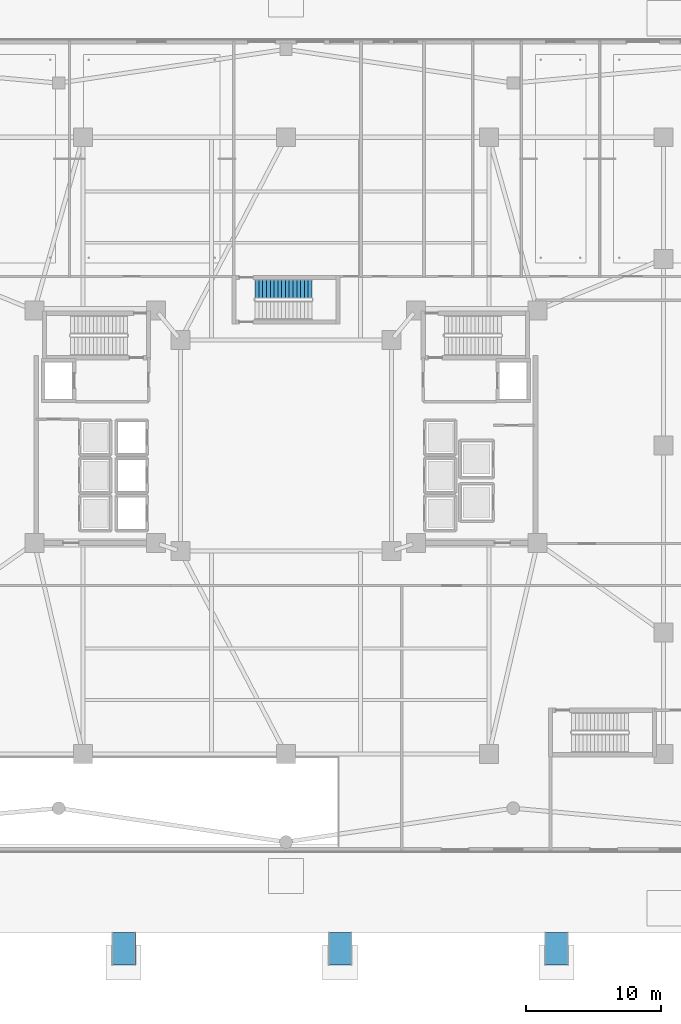
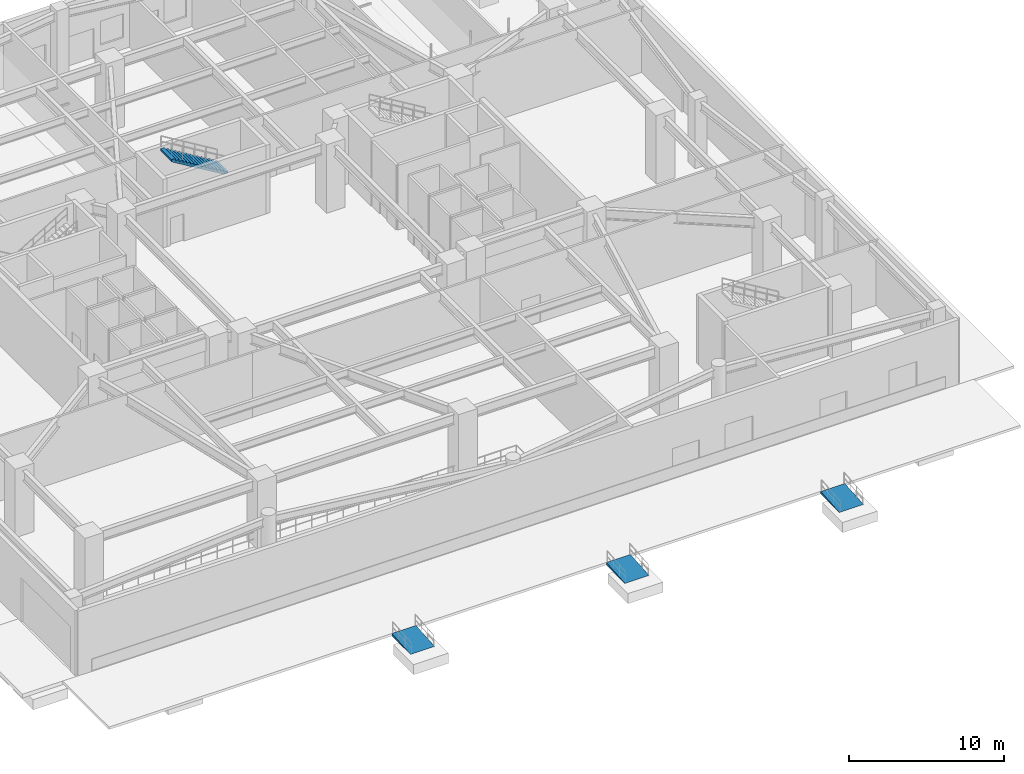
# One storey, part 7 of 18: 3 ramp flights, 1 stair flight, 4 elements without a shape of their own.
"""IFC4 building model written with IfcOpenShell, lengths in metres."""

from ifc_helpers import new_model, si_unit, direction, frame, origin, place, context, subcontext, project, spatial, polyline, outline, extrude, material, layer, layer_set, type_object, element, aggregate, save


model = new_model("IFC4")

# Units and contexts
model_context = context("Model", 3, precision=1e-05, world=origin(), true_north=direction((0.0, 1.0)))
body_context = subcontext(model_context, "Body", "Model", "MODEL_VIEW")
ifc_project = project(units=[si_unit("LENGTHUNIT", "METRE"), si_unit("AREAUNIT", "SQUARE_METRE"), si_unit("VOLUMEUNIT", "CUBIC_METRE"), si_unit("PLANEANGLEUNIT", "RADIAN"), si_unit("MASSUNIT", "GRAM", prefix="KILO")], contexts=[model_context])

# Site, building, storey
site_placement = place(None, origin())
site = spatial("IfcSite", under=ifc_project, at=site_placement, CompositionType="ELEMENT")
building_placement = place(site_placement, origin())
building = spatial("IfcBuilding", under=site, at=building_placement, Name="Tarnavaz Court Tower", CompositionType="ELEMENT")
storey_placement = place(building_placement, origin())
storey = spatial("IfcBuildingStorey", under=building, at=storey_placement, Name="L00", CompositionType="ELEMENT", Elevation=0.0)

# Stair, stair flight
ifc_material = material(Name="Concrete C40/50", Category="concrete")
stair_type = type_object("IfcStairType", Name="ST-TWR-32R", PredefinedType="HALF_TURN_STAIR", material=ifc_material)
stair_placement = place(storey_placement, origin())
stair = element("IfcStair", 1, at=stair_placement, inside=storey, type_object=stair_type, Name="L00 North Ring Pressurized Exit Stair ST-N1", PredefinedType="HALF_TURN_STAIR")
stair_flight_type = type_object("IfcStairFlightType", Name="SFL-RC-32R", PredefinedType="STRAIGHT", material=ifc_material)
stair_flight_placement = place(storey_placement, frame((1.919921875, 11.580078125, 2.699951171875), z_axis=(0.0, 0.0, 1.0), x_axis=(-1.0, 0.0, 0.0)))
stair_flight = element("IfcStairFlight", 2, at=stair_flight_placement, type_object=stair_flight_type, Name="ST-N1 flight 2", NumberOfRisers=16, NumberOfTreads=15, PredefinedType="STRAIGHT", RiserHeight=0.16875, TreadLength=0.28, context=body_context, shape_type="SweptSolid", body=[
    extrude(outline(polyline([(0.0, 0.0), (0.0, 0.168701171875), (0.280029296875, 0.168701171875), (0.280029296875, 0.33740234375), (0.56005859375, 0.33740234375), (0.56005859375, 0.50634765625), (0.840087890625, 0.50634765625), (0.840087890625, 0.675048828125), (1.1201171875, 0.675048828125), (1.1201171875, 0.84375), (1.39990234375, 0.84375), (1.39990234375, 1.012451171875), (1.679931640625, 1.012451171875), (1.679931640625, 1.18115234375), (1.9599609375, 1.18115234375), (1.9599609375, 1.35009765625), (2.239990234375, 1.35009765625), (2.239990234375, 1.518798828125), (2.52001953125, 1.518798828125), (2.52001953125, 1.6875), (2.800048828125, 1.6875), (2.800048828125, 1.856201171875), (3.080078125, 1.856201171875), (3.080078125, 2.02490234375), (3.360107421875, 2.02490234375), (3.360107421875, 2.19384765625), (3.639892578125, 2.19384765625), (3.639892578125, 2.362548828125), (3.919921875, 2.362548828125), (3.919921875, 2.53125), (4.199951171875, 2.53125), (4.199951171875, 2.699951171875), (4.199951171875, 2.356201171875), (0.29052734375, 0.0), (0.0, 0.0)])), frame((0.0, 0.7099609375, 0.0), z_axis=(0.0, -1.0, 0.0), x_axis=(1.0, 0.0, 0.0)), (0.0, 0.0, 1.0), 1.419921875),
])
aggregate(stair, [stair_flight])

# Ramp, ramp flight
ramp_type = type_object("IfcRampType", Name="RM-PED-1800", PredefinedType="STRAIGHT_RUN_RAMP", material=ifc_material)
ramp_1_placement = place(storey_placement, origin())
ramp_1 = element("IfcRamp", 3, at=ramp_1_placement, inside=storey, type_object=ramp_type, Name="L00 Accessible Step-Free Entrance Ramp AR1", PredefinedType="STRAIGHT_RUN_RAMP")
ifc_layer = layer(ifc_material, 0.199951171875)
ifc_layer_set = layer_set([ifc_layer], Name="Concrete C40/50")
ramp_flight_type = type_object("IfcRampFlightType", Name="RMF-PED-1800", PredefinedType="STRAIGHT", material=ifc_layer_set)
ramp_flight_1_placement = place(storey_placement, frame((-12.0, -38.39990234375, -0.199951171875), z_axis=(0.0, 0.0, 1.0), x_axis=(0.0, 1.0, 0.0)))
ramp_flight_1 = element("IfcRampFlight", 4, at=ramp_flight_1_placement, type_object=ramp_flight_type, Name="L00 Accessible Entrance Ramp AR1 Flight", PredefinedType="STRAIGHT", context=body_context, shape_type="SweptSolid", body=[
    extrude(outline(polyline([(0.0, 0.0), (2.39990234375, 0.199951171875), (2.39990234375, 0.0), (1.199951171875, 0.0), (0.0, 0.0)])), frame((0.0, 0.89990234375, 0.0), z_axis=(0.0, -1.0, 0.0), x_axis=(1.0, 0.0, 0.0)), (0.0, 0.0, 1.0), 1.800048828125),
])
aggregate(ramp_1, [ramp_flight_1])

ramp_2_placement = place(storey_placement, origin())
ramp_2 = element("IfcRamp", 5, at=ramp_2_placement, inside=storey, type_object=ramp_type, Name="L00 Accessible Step-Free Entrance Ramp AR2", PredefinedType="STRAIGHT_RUN_RAMP")
ramp_flight_2_placement = place(storey_placement, frame((4.0, -38.39990234375, -0.199951171875), z_axis=(0.0, 0.0, 1.0), x_axis=(0.0, 1.0, 0.0)))
ramp_flight_2 = element("IfcRampFlight", 6, at=ramp_flight_2_placement, type_object=ramp_flight_type, Name="L00 Accessible Entrance Ramp AR2 Flight", PredefinedType="STRAIGHT", context=body_context, shape_type="SweptSolid", body=[
    extrude(outline(polyline([(0.0, 0.0), (2.39990234375, 0.199951171875), (2.39990234375, 0.0), (1.199951171875, 0.0), (0.0, 0.0)])), frame((0.0, 0.89990234375, 0.0), z_axis=(0.0, -1.0, 0.0), x_axis=(1.0, 0.0, 0.0)), (0.0, 0.0, 1.0), 1.800048828125),
])
aggregate(ramp_2, [ramp_flight_2])

ramp_3_placement = place(storey_placement, origin())
ramp_3 = element("IfcRamp", 7, at=ramp_3_placement, inside=storey, type_object=ramp_type, Name="L00 Accessible Step-Free Entrance Ramp AR3", PredefinedType="STRAIGHT_RUN_RAMP")
ramp_flight_3_placement = place(storey_placement, frame((20.0, -38.39990234375, -0.199951171875), z_axis=(0.0, 0.0, 1.0), x_axis=(0.0, 1.0, 0.0)))
ramp_flight_3 = element("IfcRampFlight", 8, at=ramp_flight_3_placement, type_object=ramp_flight_type, Name="L00 Accessible Entrance Ramp AR3 Flight", PredefinedType="STRAIGHT", context=body_context, shape_type="SweptSolid", body=[
    extrude(outline(polyline([(0.0, 0.0), (2.39990234375, 0.199951171875), (2.39990234375, 0.0), (1.199951171875, 0.0), (0.0, 0.0)])), frame((0.0, 0.89990234375, 0.0), z_axis=(0.0, -1.0, 0.0), x_axis=(1.0, 0.0, 0.0)), (0.0, 0.0, 1.0), 1.800048828125),
])
aggregate(ramp_3, [ramp_flight_3])

save(model, "model.ifc")
